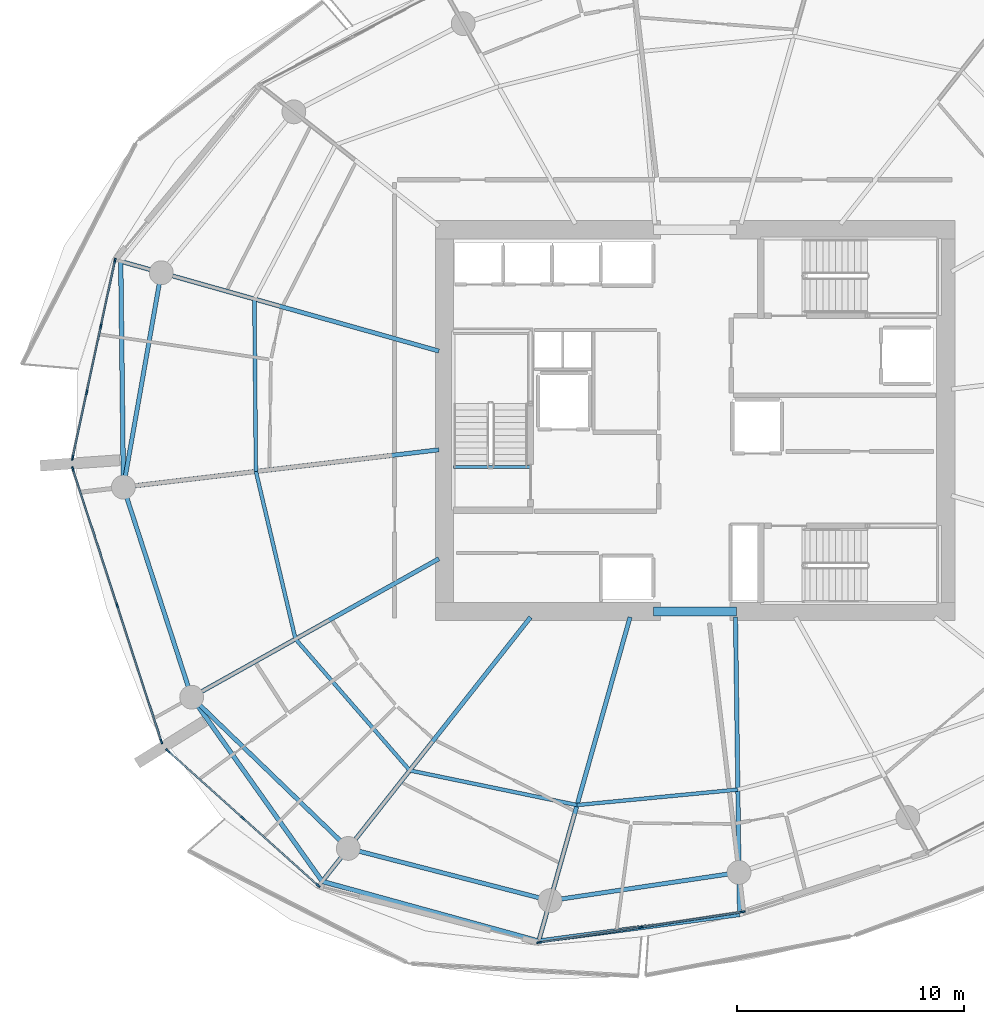
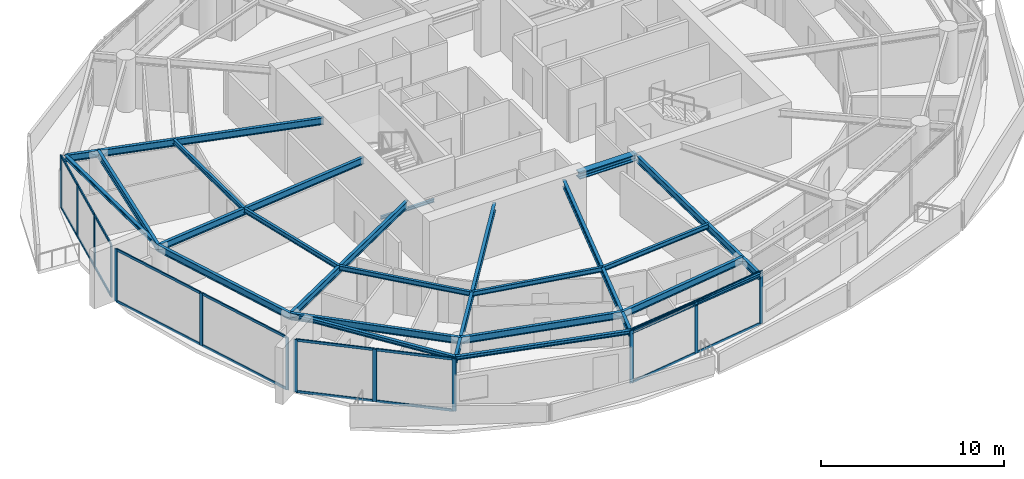
# One storey, part 5 of 20: 31 members, 22 beams, 4 elements without a shape of their own.
"""IFC4 building model written with IfcOpenShell, lengths in metres."""

from ifc_helpers import new_model, si_unit, direction, frame, origin, origin_2d, place, context, subcontext, project, spatial, rectangle, i_section, extrude, material, layer, layer_set, material_profile, profile_set, type_object, element, aggregate, save


model = new_model("IFC4")

# Units and contexts
model_context = context("Model", 3, precision=1e-05, world=origin(), true_north=direction((0.0, 1.0)))
body_context = subcontext(model_context, "Body", "Model", "MODEL_VIEW")
ifc_project = project(units=[si_unit("LENGTHUNIT", "METRE"), si_unit("AREAUNIT", "SQUARE_METRE"), si_unit("VOLUMEUNIT", "CUBIC_METRE"), si_unit("PLANEANGLEUNIT", "RADIAN"), si_unit("MASSUNIT", "GRAM", prefix="KILO")], contexts=[model_context])

# Site, building, storey
site_placement = place(None, origin())
site = spatial("IfcSite", under=ifc_project, at=site_placement, CompositionType="ELEMENT")
building_placement = place(site_placement, origin())
building = spatial("IfcBuilding", under=site, at=building_placement, Name="Kazma Halo Residences", CompositionType="ELEMENT")
storey_placement = place(building_placement, frame((0.0, 0.0, 161.550048828125)))
storey = spatial("IfcBuildingStorey", under=building, at=storey_placement, Name="L40", CompositionType="ELEMENT", Elevation=161.550048828125)

# Beams
ifc_material_1 = material(Name="Steel S355", Category="steel")
ifc_material_profile_1 = material_profile(ifc_material_1, i_section(OverallWidth=0.201904296875, OverallDepth=0.2470703125, WebThickness=0.00732421875, FlangeThickness=0.010986328125, FilletRadius=0.011962890625, at=origin_2d()), Name="W250x49.1")
ifc_profile_set_1 = profile_set([ifc_material_profile_1], Name="Steel S355")
beam_type_1 = type_object("IfcBeamType", Name="BM-BAL-CANT", PredefinedType="BEAM", material=ifc_profile_set_1)
beam_1_placement = place(storey_placement, frame((23.149658203125, 49.008544921875, 3.37646484375), z_axis=(0.011793371143, -0.99993045578, 0.0), x_axis=(0.99993045578, 0.011793371143, 0.0)))
element("IfcBeam", 1, at=beam_1_placement, inside=storey, type_object=beam_type_1, Name="L40 wave-balcony tie beam 07", PredefinedType="BEAM", context=body_context, shape_type="SweptSolid", body=[
    extrude(i_section(OverallWidth=0.201904296875, OverallDepth=0.2470703125, WebThickness=0.00732421875, FlangeThickness=0.010986328125, FilletRadius=0.011962890625, at=origin_2d()), origin(), (0.0, 0.0, 1.0), 9.936767578125),
])
beam_2_placement = place(storey_placement, frame((26.269775390625, 29.83056640625, 3.37646484375), z_axis=(0.578203432081, -0.81589263456, 0.0), x_axis=(0.81589263456, 0.578203432081, 0.0)))
element("IfcBeam", 2, at=beam_2_placement, inside=storey, type_object=beam_type_1, Name="L40 wave-balcony lead tie beam 09", PredefinedType="BEAM", context=body_context, shape_type="SweptSolid", body=[
    extrude(i_section(OverallWidth=0.201904296875, OverallDepth=0.2470703125, WebThickness=0.00732421875, FlangeThickness=0.010986328125, FilletRadius=0.011962890625, at=origin_2d()), origin(), (0.0, 0.0, 1.0), 9.9365234375),
])
beam_3_placement = place(storey_placement, frame((32.01513671875, 21.723388671875, 3.37646484375), z_axis=(0.964045237638, -0.265738179019, 0.0), x_axis=(0.265738179019, 0.964045237638, 0.0)))
element("IfcBeam", 3, at=beam_3_placement, inside=storey, type_object=beam_type_1, Name="L40 wave-balcony tie beam 10", PredefinedType="BEAM", context=body_context, shape_type="SweptSolid", body=[
    extrude(i_section(OverallWidth=0.201904296875, OverallDepth=0.2470703125, WebThickness=0.00732421875, FlangeThickness=0.010986328125, FilletRadius=0.011962890625, at=origin_2d()), origin(), (0.0, 0.0, 1.0), 9.880859375),
])
beam_4_placement = place(storey_placement, frame((41.540771484375, 19.09765625, 3.37646484375), z_axis=(0.991326402839, 0.13142284061, 0.0), x_axis=(-0.13142284061, 0.991326402839, 0.0)))
element("IfcBeam", 4, at=beam_4_placement, inside=storey, type_object=beam_type_1, Name="L40 wave-balcony tie beam 11", PredefinedType="BEAM", context=body_context, shape_type="SweptSolid", body=[
    extrude(i_section(OverallWidth=0.201904296875, OverallDepth=0.2470703125, WebThickness=0.00732421875, FlangeThickness=0.010986328125, FilletRadius=0.011962890625, at=origin_2d()), origin(), (0.0, 0.0, 1.0), 8.9150390625),
])
ifc_material_profile_2 = material_profile(ifc_material_1, i_section(OverallWidth=0.408935546875, OverallDepth=0.425048828125, WebThickness=0.03271484375, FlangeThickness=0.052490234375, FilletRadius=0.02001953125, at=origin_2d()), Name="W360x421")
ifc_profile_set_2 = profile_set([ifc_material_profile_2], Name="Steel S355")
beam_type_2 = type_object("IfcBeamType", Name="BM-CORE-W360H", PredefinedType="BEAM", material=ifc_profile_set_2)
beam_5_placement = place(storey_placement, frame((46.60009765625, 33.60009765625, 3.287353515625), z_axis=(1.0, 0.0, 0.0), x_axis=(0.0, 1.0, 0.0)))
element("IfcBeam", 5, at=beam_5_placement, inside=storey, type_object=beam_type_2, Name="L40 core coupling beam S", PredefinedType="BEAM", context=body_context, shape_type="SweptSolid", body=[
    extrude(i_section(OverallWidth=0.408935546875, OverallDepth=0.425048828125, WebThickness=0.03271484375, FlangeThickness=0.052490234375, FilletRadius=0.02001953125, at=origin_2d()), origin(), (0.0, 0.0, 1.0), 3.64990234375),
])
ifc_material_profile_3 = material_profile(ifc_material_1, i_section(OverallWidth=0.18994140625, OverallDepth=0.45703125, WebThickness=0.009033203125, FlangeThickness=0.014404296875, FilletRadius=0.01611328125, at=origin_2d()), Name="W460x74")
ifc_profile_set_3 = profile_set([ifc_material_profile_3], Name="Steel S355")
beam_type_3 = type_object("IfcBeamType", Name="BM-RAD-W460", PredefinedType="BEAM", material=ifc_profile_set_3)
beam_6_placement = place(storey_placement, frame((37.14990234375, 45.06005859375, 3.271484375), z_axis=(-0.962455072712, 0.271441030447, 0.0), x_axis=(-0.271441030447, -0.962455072712, 0.0)))
element("IfcBeam", 6, at=beam_6_placement, inside=storey, type_object=beam_type_3, Name="L40 radial floor beam 07", PredefinedType="BEAM", context=body_context, shape_type="SweptSolid", body=[
    extrude(i_section(OverallWidth=0.18994140625, OverallDepth=0.45703125, WebThickness=0.009033203125, FlangeThickness=0.014404296875, FilletRadius=0.01611328125, at=origin_2d()), origin(), (0.0, 0.0, 1.0), 14.54638671875),
])
beam_7_placement = place(storey_placement, frame((37.14990234375, 40.7158203125, 3.271484375), z_axis=(-0.993067267044, -0.117547450531, 0.0), x_axis=(0.117547450531, -0.993067267044, 0.0)))
element("IfcBeam", 7, at=beam_7_placement, inside=storey, type_object=beam_type_3, Name="L40 radial floor beam 08", PredefinedType="BEAM", context=body_context, shape_type="SweptSolid", body=[
    extrude(i_section(OverallWidth=0.18994140625, OverallDepth=0.45703125, WebThickness=0.009033203125, FlangeThickness=0.014404296875, FilletRadius=0.01611328125, at=origin_2d()), origin(), (0.0, 0.0, 1.0), 13.97998046875),
])
beam_8_placement = place(storey_placement, frame((37.14990234375, 35.923583984375, 3.271484375), z_axis=(-0.87250100809, -0.488612311431, 0.0), x_axis=(0.488612311431, -0.87250100809, 0.0)))
element("IfcBeam", 8, at=beam_8_placement, inside=storey, type_object=beam_type_3, Name="L40 radial floor beam 09", PredefinedType="BEAM", context=body_context, shape_type="SweptSolid", body=[
    extrude(i_section(OverallWidth=0.18994140625, OverallDepth=0.45703125, WebThickness=0.009033203125, FlangeThickness=0.014404296875, FilletRadius=0.01611328125, at=origin_2d()), origin(), (0.0, 0.0, 1.0), 12.469970703125),
])
beam_9_placement = place(storey_placement, frame((41.180908203125, 33.35009765625, 3.271484375), z_axis=(-0.619094498239, -0.785316498139, 0.0), x_axis=(0.785316498139, -0.619094498239, 0.0)))
element("IfcBeam", 9, at=beam_9_placement, inside=storey, type_object=beam_type_3, Name="L40 radial floor beam 10", PredefinedType="BEAM", context=body_context, shape_type="SweptSolid", body=[
    extrude(i_section(OverallWidth=0.18994140625, OverallDepth=0.45703125, WebThickness=0.009033203125, FlangeThickness=0.014404296875, FilletRadius=0.01611328125, at=origin_2d()), origin(), (0.0, 0.0, 1.0), 14.80517578125),
])
beam_10_placement = place(storey_placement, frame((45.560302734375, 33.35009765625, 3.271484375), z_axis=(-0.271435886816, -0.962456523355, 0.0), x_axis=(0.962456523355, -0.271435886816, 0.0)))
element("IfcBeam", 10, at=beam_10_placement, inside=storey, type_object=beam_type_3, Name="L40 radial floor beam 11", PredefinedType="BEAM", context=body_context, shape_type="SweptSolid", body=[
    extrude(i_section(OverallWidth=0.18994140625, OverallDepth=0.45703125, WebThickness=0.009033203125, FlangeThickness=0.014404296875, FilletRadius=0.01611328125, at=origin_2d()), origin(), (0.0, 0.0, 1.0), 14.808349609375),
])
beam_11_placement = place(storey_placement, frame((50.199951171875, 33.35009765625, 3.271484375), z_axis=(0.013642135434, -0.99990694174, 0.0), x_axis=(0.99990694174, 0.013642135434, 0.0)))
element("IfcBeam", 11, at=beam_11_placement, inside=storey, type_object=beam_type_3, Name="L40 radial floor beam 12", PredefinedType="BEAM", context=body_context, shape_type="SweptSolid", body=[
    extrude(i_section(OverallWidth=0.18994140625, OverallDepth=0.45703125, WebThickness=0.009033203125, FlangeThickness=0.014404296875, FilletRadius=0.01611328125, at=origin_2d()), origin(), (0.0, 0.0, 1.0), 13.08203125),
])
ifc_material_profile_4 = material_profile(ifc_material_1, i_section(OverallWidth=0.1650390625, OverallDepth=0.31005859375, WebThickness=0.005859375, FlangeThickness=0.009765625, FilletRadius=0.011962890625, at=origin_2d()), Name="W310x38.7")
ifc_profile_set_4 = profile_set([ifc_material_profile_4], Name="Steel S355")
beam_type_4 = type_object("IfcBeamType", Name="BM-SEC-W310B", PredefinedType="JOIST", material=ifc_profile_set_4)
beam_12_placement = place(storey_placement, frame((29.02978515625, 47.35009765625, 3.344970703125), z_axis=(0.008944876706, -0.99995999379, 0.0), x_axis=(0.99995999379, 0.008944876706, 0.0)))
element("IfcBeam", 12, at=beam_12_placement, inside=storey, type_object=beam_type_4, Name="L40 circumferential floor joist 07", PredefinedType="JOIST", context=body_context, shape_type="SweptSolid", body=[
    extrude(i_section(OverallWidth=0.1650390625, OverallDepth=0.31005859375, WebThickness=0.005859375, FlangeThickness=0.009765625, FilletRadius=0.011962890625, at=origin_2d()), origin(), (0.0, 0.0, 1.0), 7.587646484375),
])
beam_13_placement = place(storey_placement, frame((29.09765625, 39.7626953125, 3.344970703125), z_axis=(0.229897820601, -0.973214771817, 0.0), x_axis=(0.973214771817, 0.229897820601, 0.0)))
element("IfcBeam", 13, at=beam_13_placement, inside=storey, type_object=beam_type_4, Name="L40 circumferential floor joist 08", PredefinedType="JOIST", context=body_context, shape_type="SweptSolid", body=[
    extrude(i_section(OverallWidth=0.1650390625, OverallDepth=0.31005859375, WebThickness=0.005859375, FlangeThickness=0.009765625, FilletRadius=0.011962890625, at=origin_2d()), origin(), (0.0, 0.0, 1.0), 7.575927734375),
])
beam_14_placement = place(storey_placement, frame((30.83935546875, 32.3896484375, 3.344970703125), z_axis=(0.655935687589, -0.754816781575, 0.0), x_axis=(0.754816781575, 0.655935687589, 0.0)))
element("IfcBeam", 14, at=beam_14_placement, inside=storey, type_object=beam_type_4, Name="L40 circumferential floor joist 09", PredefinedType="JOIST", context=body_context, shape_type="SweptSolid", body=[
    extrude(i_section(OverallWidth=0.1650390625, OverallDepth=0.31005859375, WebThickness=0.005859375, FlangeThickness=0.009765625, FilletRadius=0.011962890625, at=origin_2d()), origin(), (0.0, 0.0, 1.0), 7.661376953125),
])
beam_15_placement = place(storey_placement, frame((35.86474609375, 26.606689453125, 3.344970703125), z_axis=(0.979272189631, -0.202548706773, 0.0), x_axis=(0.202548706773, 0.979272189631, 0.0)))
element("IfcBeam", 15, at=beam_15_placement, inside=storey, type_object=beam_type_4, Name="L40 circumferential floor joist 10", PredefinedType="JOIST", context=body_context, shape_type="SweptSolid", body=[
    extrude(i_section(OverallWidth=0.1650390625, OverallDepth=0.31005859375, WebThickness=0.005859375, FlangeThickness=0.009765625, FilletRadius=0.011962890625, at=origin_2d()), origin(), (0.0, 0.0, 1.0), 7.52001953125),
])
beam_16_placement = place(storey_placement, frame((43.22900390625, 25.08349609375, 3.344970703125), z_axis=(0.995416389983, 0.095635822539, 0.0), x_axis=(-0.095635822539, 0.995416389983, 0.0)))
element("IfcBeam", 16, at=beam_16_placement, inside=storey, type_object=beam_type_4, Name="L40 circumferential floor joist 11", PredefinedType="JOIST", context=body_context, shape_type="SweptSolid", body=[
    extrude(i_section(OverallWidth=0.1650390625, OverallDepth=0.31005859375, WebThickness=0.005859375, FlangeThickness=0.009765625, FilletRadius=0.011962890625, at=origin_2d()), origin(), (0.0, 0.0, 1.0), 7.10693359375),
])
ifc_material_profile_5 = material_profile(ifc_material_1, i_section(OverallWidth=0.18994140625, OverallDepth=0.45703125, WebThickness=0.009033203125, FlangeThickness=0.014404296875, FilletRadius=0.01611328125, at=origin_2d()), Name="W460x74")
ifc_profile_set_5 = profile_set([ifc_material_profile_5], Name="Steel S355")
beam_type_5 = type_object("IfcBeamType", Name="BM-SPN-W460", PredefinedType="BEAM", material=ifc_profile_set_5)
beam_17_placement = place(storey_placement, frame((24.93017578125, 48.50634765625, 3.271484375), z_axis=(-0.173637033425, -0.984809717978, 0.0), x_axis=(0.984809717978, -0.173637033425, 0.0)))
element("IfcBeam", 17, at=beam_17_placement, inside=storey, type_object=beam_type_5, Name="L40 perimeter ring beam 07", PredefinedType="BEAM", context=body_context, shape_type="SweptSolid", body=[
    extrude(i_section(OverallWidth=0.18994140625, OverallDepth=0.45703125, WebThickness=0.009033203125, FlangeThickness=0.014404296875, FilletRadius=0.01611328125, at=origin_2d()), origin(), (0.0, 0.0, 1.0), 9.579345703125),
])
beam_18_placement = place(storey_placement, frame((23.266845703125, 39.072509765625, 3.271484375), z_axis=(0.309020741629, -0.95105529873, 0.0), x_axis=(0.95105529873, 0.309020741629, 0.0)))
element("IfcBeam", 18, at=beam_18_placement, inside=storey, type_object=beam_type_5, Name="L40 perimeter ring beam 08", PredefinedType="BEAM", context=body_context, shape_type="SweptSolid", body=[
    extrude(i_section(OverallWidth=0.18994140625, OverallDepth=0.45703125, WebThickness=0.009033203125, FlangeThickness=0.014404296875, FilletRadius=0.01611328125, at=origin_2d()), origin(), (0.0, 0.0, 1.0), 9.717529296875),
])
beam_19_placement = place(storey_placement, frame((26.269775390625, 29.83056640625, 3.271484375), z_axis=(0.719334705845, -0.694663645923, 0.0), x_axis=(0.694663645923, 0.719334705845, 0.0)))
element("IfcBeam", 19, at=beam_19_placement, inside=storey, type_object=beam_type_5, Name="L40 perimeter ring beam 09", PredefinedType="BEAM", context=body_context, shape_type="SweptSolid", body=[
    extrude(i_section(OverallWidth=0.18994140625, OverallDepth=0.45703125, WebThickness=0.009033203125, FlangeThickness=0.014404296875, FilletRadius=0.01611328125, at=origin_2d()), origin(), (0.0, 0.0, 1.0), 9.5791015625),
])
beam_20_placement = place(storey_placement, frame((33.160400390625, 23.17626953125, 3.271484375), z_axis=(0.968123664213, -0.250472694699, 0.0), x_axis=(0.250472694699, 0.968123664213, 0.0)))
element("IfcBeam", 20, at=beam_20_placement, inside=storey, type_object=beam_type_5, Name="L40 perimeter ring beam 10", PredefinedType="BEAM", context=body_context, shape_type="SweptSolid", body=[
    extrude(i_section(OverallWidth=0.18994140625, OverallDepth=0.45703125, WebThickness=0.009033203125, FlangeThickness=0.014404296875, FilletRadius=0.01611328125, at=origin_2d()), origin(), (0.0, 0.0, 1.0), 9.175048828125),
])
beam_21_placement = place(storey_placement, frame((42.04296875, 20.878173828125, 3.271484375), z_axis=(0.989037147603, 0.147666924735, 0.0), x_axis=(-0.147666924735, 0.989037147603, 0.0)))
element("IfcBeam", 21, at=beam_21_placement, inside=storey, type_object=beam_type_5, Name="L40 perimeter ring beam 11", PredefinedType="BEAM", context=body_context, shape_type="SweptSolid", body=[
    extrude(i_section(OverallWidth=0.18994140625, OverallDepth=0.45703125, WebThickness=0.009033203125, FlangeThickness=0.014404296875, FilletRadius=0.01611328125, at=origin_2d()), origin(), (0.0, 0.0, 1.0), 8.402099609375),
])
ifc_material_profile_6 = material_profile(ifc_material_1, i_section(OverallWidth=0.133056640625, OverallDepth=0.20703125, WebThickness=0.005859375, FlangeThickness=0.00830078125, FilletRadius=0.010009765625, at=origin_2d()), Name="W200x26.6")
ifc_profile_set_6 = profile_set([ifc_material_profile_6], Name="Steel S355")
beam_type_6 = type_object("IfcBeamType", Name="BM-TRIM-W200", PredefinedType="BEAM", material=ifc_profile_set_6)
beam_22_placement = place(storey_placement, frame((37.800048828125, 39.949951171875, -0.360107421875), z_axis=(1.0, 0.0, 0.0), x_axis=(0.0, 1.0, 0.0)))
element("IfcBeam", 22, at=beam_22_placement, inside=storey, type_object=beam_type_6, Name="L40 ST-01 floor landing support beam", PredefinedType="BEAM", context=body_context, shape_type="SweptSolid", body=[
    extrude(i_section(OverallWidth=0.133056640625, OverallDepth=0.20703125, WebThickness=0.005859375, FlangeThickness=0.00830078125, FilletRadius=0.010009765625, at=origin_2d()), origin(), (0.0, 0.0, 1.0), 3.3798828125),
])

# Curtain wall, members
ifc_material_2 = material(Name="Aluminium AW-6063 T6 and Triple-Silver Low-E Glass", Category="aluminium")
ifc_layer = layer(ifc_material_2, 0.219970703125)
ifc_layer_set = layer_set([ifc_layer], Name="Aluminium AW-6063 T6 and Triple-Silver Low-E Glass")
curtain_wall_type = type_object("IfcCurtainWallType", Name="CW-SYS-4", PredefinedType="NOTDEFINED", material=ifc_layer_set)
curtain_wall_1_placement = place(storey_placement, origin())
curtain_wall_1 = element("IfcCurtainWall", 23, at=curtain_wall_1_placement, inside=storey, type_object=curtain_wall_type, Name="L40 unitised curtain wall B07", PredefinedType="NOTDEFINED")
ifc_material_3 = material(Name="Aluminium AW-6063 T6", Category="aluminium")
ifc_material_profile_7 = material_profile(ifc_material_3, rectangle(XDim=0.074951171875, YDim=0.219970703125, at=origin_2d()), Name="CWM-75x220")
ifc_profile_set_7 = profile_set([ifc_material_profile_7], Name="Aluminium AW-6063 T6")
member_type_1 = type_object("IfcMemberType", Name="CW-SYS-4-MUL", PredefinedType="MULLION", material=ifc_profile_set_7)
member_1_placement = place(storey_placement, frame((22.894775390625, 49.04150390625, 0.0), z_axis=(0.0, 0.0, 1.0), x_axis=(0.977764957684, -0.209703809037, 0.0)))
member_1 = element("IfcMember", 24, at=member_1_placement, type_object=member_type_1, Name="CWS-4 mullion 1", PredefinedType="MULLION", context=body_context, shape_type="SweptSolid", body=[
    extrude(rectangle(XDim=0.074951171875, YDim=0.219970703125, at=origin_2d()), origin(), (0.0, 0.0, 1.0), 3.5),
])
member_2_placement = place(storey_placement, frame((22.27685546875, 46.160888671875, 0.0), z_axis=(0.0, 0.0, 1.0), x_axis=(0.977764957684, -0.209703809037, 0.0)))
member_2 = element("IfcMember", 25, at=member_2_placement, type_object=member_type_1, Name="CWS-4 mullion 2", PredefinedType="MULLION", context=body_context, shape_type="SweptSolid", body=[
    extrude(rectangle(XDim=0.074951171875, YDim=0.219970703125, at=origin_2d()), origin(), (0.0, 0.0, 1.0), 3.5),
])
member_3_placement = place(storey_placement, frame((21.6513671875, 43.24365234375, 0.0), z_axis=(0.0, 0.0, 1.0), x_axis=(0.977764957684, -0.209703809037, 0.0)))
member_3 = element("IfcMember", 26, at=member_3_placement, type_object=member_type_1, Name="CWS-4 mullion 3", PredefinedType="MULLION", context=body_context, shape_type="SweptSolid", body=[
    extrude(rectangle(XDim=0.074951171875, YDim=0.219970703125, at=origin_2d()), origin(), (0.0, 0.0, 1.0), 3.5),
])
member_4_placement = place(storey_placement, frame((21.033447265625, 40.36328125, 0.0), z_axis=(0.0, 0.0, 1.0), x_axis=(0.977764957684, -0.209703809037, 0.0)))
member_4 = element("IfcMember", 27, at=member_4_placement, type_object=member_type_1, Name="CWS-4 mullion 4", PredefinedType="MULLION", context=body_context, shape_type="SweptSolid", body=[
    extrude(rectangle(XDim=0.074951171875, YDim=0.219970703125, at=origin_2d()), origin(), (0.0, 0.0, 1.0), 3.5),
])

curtain_wall_2_placement = place(storey_placement, origin())
curtain_wall_2 = element("IfcCurtainWall", 28, at=curtain_wall_2_placement, inside=storey, type_object=curtain_wall_type, Name="L40 unitised curtain wall B08", PredefinedType="NOTDEFINED")
member_5_placement = place(storey_placement, frame((21.044189453125, 39.86572265625, 0.0), z_axis=(0.0, 0.0, 1.0), x_axis=(0.951057547609, 0.3090138203, 0.0)))
member_5 = element("IfcMember", 29, at=member_5_placement, type_object=member_type_1, Name="CWS-4 mullion 1", PredefinedType="MULLION", context=body_context, shape_type="SweptSolid", body=[
    extrude(rectangle(XDim=0.074951171875, YDim=0.219970703125, at=origin_2d()), origin(), (0.0, 0.0, 1.0), 3.5),
])
member_6_placement = place(storey_placement, frame((22.990966796875, 33.8740234375, 0.0), z_axis=(0.0, 0.0, 1.0), x_axis=(0.951057547609, 0.3090138203, 0.0)))
member_6 = element("IfcMember", 30, at=member_6_placement, type_object=member_type_1, Name="CWS-4 mullion 2", PredefinedType="MULLION", context=body_context, shape_type="SweptSolid", body=[
    extrude(rectangle(XDim=0.074951171875, YDim=0.219970703125, at=origin_2d()), origin(), (0.0, 0.0, 1.0), 3.5),
])
member_7_placement = place(storey_placement, frame((24.937744140625, 27.882568359375, 0.0), z_axis=(0.0, 0.0, 1.0), x_axis=(0.951057547609, 0.3090138203, 0.0)))
member_7 = element("IfcMember", 31, at=member_7_placement, type_object=member_type_1, Name="CWS-4 mullion 3", PredefinedType="MULLION", context=body_context, shape_type="SweptSolid", body=[
    extrude(rectangle(XDim=0.074951171875, YDim=0.219970703125, at=origin_2d()), origin(), (0.0, 0.0, 1.0), 3.5),
])

curtain_wall_3_placement = place(storey_placement, origin())
curtain_wall_3 = element("IfcCurtainWall", 32, at=curtain_wall_3_placement, inside=storey, type_object=curtain_wall_type, Name="L40 unitised curtain wall B09", PredefinedType="NOTDEFINED")
member_8_placement = place(storey_placement, frame((25.221435546875, 27.4736328125, 0.0), z_axis=(0.0, 0.0, 1.0), x_axis=(0.667770096247, 0.744367582957, 0.0)))
member_8 = element("IfcMember", 33, at=member_8_placement, type_object=member_type_1, Name="CWS-4 mullion 1", PredefinedType="MULLION", context=body_context, shape_type="SweptSolid", body=[
    extrude(rectangle(XDim=0.074951171875, YDim=0.219970703125, at=origin_2d()), origin(), (0.0, 0.0, 1.0), 3.5),
])
member_9_placement = place(storey_placement, frame((28.52490234375, 24.51025390625, 0.0), z_axis=(0.0, 0.0, 1.0), x_axis=(0.667770096247, 0.744367582957, 0.0)))
member_9 = element("IfcMember", 34, at=member_9_placement, type_object=member_type_1, Name="CWS-4 mullion 2", PredefinedType="MULLION", context=body_context, shape_type="SweptSolid", body=[
    extrude(rectangle(XDim=0.074951171875, YDim=0.219970703125, at=origin_2d()), origin(), (0.0, 0.0, 1.0), 3.5),
])
member_10_placement = place(storey_placement, frame((31.828369140625, 21.546630859375, 0.0), z_axis=(0.0, 0.0, 1.0), x_axis=(0.667770096247, 0.744367582957, 0.0)))
member_10 = element("IfcMember", 35, at=member_10_placement, type_object=member_type_1, Name="CWS-4 mullion 3", PredefinedType="MULLION", context=body_context, shape_type="SweptSolid", body=[
    extrude(rectangle(XDim=0.074951171875, YDim=0.219970703125, at=origin_2d()), origin(), (0.0, 0.0, 1.0), 3.5),
])

curtain_wall_4_placement = place(storey_placement, origin())
curtain_wall_4 = element("IfcCurtainWall", 36, at=curtain_wall_4_placement, inside=storey, type_object=curtain_wall_type, Name="L40 unitised curtain wall B11", PredefinedType="NOTDEFINED")
member_11_placement = place(storey_placement, frame((41.559326171875, 19.037109375, 0.0), z_axis=(0.0, 0.0, 1.0), x_axis=(-0.148821022686, 0.988864148004, 0.0)))
member_11 = element("IfcMember", 37, at=member_11_placement, type_object=member_type_1, Name="CWS-4 mullion 1", PredefinedType="MULLION", context=body_context, shape_type="SweptSolid", body=[
    extrude(rectangle(XDim=0.074951171875, YDim=0.219970703125, at=origin_2d()), origin(), (0.0, 0.0, 1.0), 3.5),
])
member_12_placement = place(storey_placement, frame((46.039794921875, 19.71142578125, 0.0), z_axis=(0.0, 0.0, 1.0), x_axis=(-0.148821022686, 0.988864148004, 0.0)))
member_12 = element("IfcMember", 38, at=member_12_placement, type_object=member_type_1, Name="CWS-4 mullion 2", PredefinedType="MULLION", context=body_context, shape_type="SweptSolid", body=[
    extrude(rectangle(XDim=0.074951171875, YDim=0.219970703125, at=origin_2d()), origin(), (0.0, 0.0, 1.0), 3.5),
])
member_13_placement = place(storey_placement, frame((50.5205078125, 20.3857421875, 0.0), z_axis=(0.0, 0.0, 1.0), x_axis=(-0.148821022686, 0.988864148004, 0.0)))
member_13 = element("IfcMember", 39, at=member_13_placement, type_object=member_type_1, Name="CWS-4 mullion 3", PredefinedType="MULLION", context=body_context, shape_type="SweptSolid", body=[
    extrude(rectangle(XDim=0.074951171875, YDim=0.219970703125, at=origin_2d()), origin(), (0.0, 0.0, 1.0), 3.5),
])

# Member
ifc_material_profile_8 = material_profile(ifc_material_3, rectangle(XDim=0.074951171875, YDim=0.1650390625, at=origin_2d()), Name="CWT-75x165")
ifc_profile_set_8 = profile_set([ifc_material_profile_8], Name="Aluminium AW-6063 T6")
member_type_2 = type_object("IfcMemberType", Name="CW-SYS-4-TRN", PredefinedType="USERDEFINED", material=ifc_profile_set_8)
member_14_placement = place(storey_placement, frame((22.886962890625, 49.0048828125, 0.037353515625), z_axis=(-0.209703309269, -0.977765064871, 0.0), x_axis=(0.977765064871, -0.209703309269, 0.0)))
member_14 = element("IfcMember", 40, at=member_14_placement, type_object=member_type_2, Name="CWS-4 transom 1.1", ObjectType="TRANSOM", PredefinedType="USERDEFINED", context=body_context, shape_type="SweptSolid", body=[
    extrude(rectangle(XDim=0.074951171875, YDim=0.1650390625, at=origin_2d()), origin(), (0.0, 0.0, 1.0), 2.870849609375),
])

member_15_placement = place(storey_placement, frame((22.886962890625, 49.0048828125, 3.46240234375), z_axis=(-0.209703309269, -0.977765064871, 0.0), x_axis=(0.977765064871, -0.209703309269, 0.0)))
member_15 = element("IfcMember", 41, at=member_15_placement, type_object=member_type_2, Name="CWS-4 transom 1.2", ObjectType="TRANSOM", PredefinedType="USERDEFINED", context=body_context, shape_type="SweptSolid", body=[
    extrude(rectangle(XDim=0.074951171875, YDim=0.1650390625, at=origin_2d()), origin(), (0.0, 0.0, 1.0), 2.870849609375),
])

member_16_placement = place(storey_placement, frame((22.26904296875, 46.124267578125, 0.037353515625), z_axis=(-0.209689601293, -0.977768004748, 0.0), x_axis=(0.977768004748, -0.209689601293, 0.0)))
member_16 = element("IfcMember", 42, at=member_16_placement, type_object=member_type_2, Name="CWS-4 transom 2.1", ObjectType="TRANSOM", PredefinedType="USERDEFINED", context=body_context, shape_type="SweptSolid", body=[
    extrude(rectangle(XDim=0.074951171875, YDim=0.1650390625, at=origin_2d()), origin(), (0.0, 0.0, 1.0), 2.908447265625),
])

member_17_placement = place(storey_placement, frame((22.26904296875, 46.124267578125, 3.46240234375), z_axis=(-0.209689601293, -0.977768004748, 0.0), x_axis=(0.977768004748, -0.209689601293, 0.0)))
member_17 = element("IfcMember", 43, at=member_17_placement, type_object=member_type_2, Name="CWS-4 transom 2.2", ObjectType="TRANSOM", PredefinedType="USERDEFINED", context=body_context, shape_type="SweptSolid", body=[
    extrude(rectangle(XDim=0.074951171875, YDim=0.1650390625, at=origin_2d()), origin(), (0.0, 0.0, 1.0), 2.908447265625),
])

member_18_placement = place(storey_placement, frame((21.643310546875, 43.20703125, 0.037353515625), z_axis=(-0.209703309269, -0.977765064871, 0.0), x_axis=(0.977765064871, -0.209703309269, 0.0)))
member_18 = element("IfcMember", 44, at=member_18_placement, type_object=member_type_2, Name="CWS-4 transom 3.1", ObjectType="TRANSOM", PredefinedType="USERDEFINED", context=body_context, shape_type="SweptSolid", body=[
    extrude(rectangle(XDim=0.074951171875, YDim=0.1650390625, at=origin_2d()), origin(), (0.0, 0.0, 1.0), 2.870849609375),
])

member_19_placement = place(storey_placement, frame((21.643310546875, 43.20703125, 3.46240234375), z_axis=(-0.209703309269, -0.977765064871, 0.0), x_axis=(0.977765064871, -0.209703309269, 0.0)))
member_19 = element("IfcMember", 45, at=member_19_placement, type_object=member_type_2, Name="CWS-4 transom 3.2", ObjectType="TRANSOM", PredefinedType="USERDEFINED", context=body_context, shape_type="SweptSolid", body=[
    extrude(rectangle(XDim=0.074951171875, YDim=0.1650390625, at=origin_2d()), origin(), (0.0, 0.0, 1.0), 2.870849609375),
])

aggregate(curtain_wall_1, [member_1, member_2, member_3, member_4, member_14, member_15, member_16, member_17, member_18, member_19])

member_20_placement = place(storey_placement, frame((21.0556640625, 39.830078125, 0.037353515625), z_axis=(0.309006258762, -0.95106000444, 0.0), x_axis=(0.95106000444, 0.309006258762, 0.0)))
member_20 = element("IfcMember", 46, at=member_20_placement, type_object=member_type_2, Name="CWS-4 transom 1.1", ObjectType="TRANSOM", PredefinedType="USERDEFINED", context=body_context, shape_type="SweptSolid", body=[
    extrude(rectangle(XDim=0.074951171875, YDim=0.1650390625, at=origin_2d()), origin(), (0.0, 0.0, 1.0), 6.22509765625),
])

member_21_placement = place(storey_placement, frame((21.0556640625, 39.830078125, 3.46240234375), z_axis=(0.309006258762, -0.95106000444, 0.0), x_axis=(0.95106000444, 0.309006258762, 0.0)))
member_21 = element("IfcMember", 47, at=member_21_placement, type_object=member_type_2, Name="CWS-4 transom 1.2", ObjectType="TRANSOM", PredefinedType="USERDEFINED", context=body_context, shape_type="SweptSolid", body=[
    extrude(rectangle(XDim=0.074951171875, YDim=0.1650390625, at=origin_2d()), origin(), (0.0, 0.0, 1.0), 6.22509765625),
])

member_22_placement = place(storey_placement, frame((23.00244140625, 33.83837890625, 0.037353515625), z_axis=(0.309017784977, -0.951056259413, 0.0), x_axis=(0.951056259413, 0.309017784977, 0.0)))
member_22 = element("IfcMember", 48, at=member_22_placement, type_object=member_type_2, Name="CWS-4 transom 2.1", ObjectType="TRANSOM", PredefinedType="USERDEFINED", context=body_context, shape_type="SweptSolid", body=[
    extrude(rectangle(XDim=0.074951171875, YDim=0.1650390625, at=origin_2d()), origin(), (0.0, 0.0, 1.0), 6.224853515625),
])

member_23_placement = place(storey_placement, frame((23.00244140625, 33.83837890625, 3.46240234375), z_axis=(0.309017784977, -0.951056259413, 0.0), x_axis=(0.951056259413, 0.309017784977, 0.0)))
member_23 = element("IfcMember", 49, at=member_23_placement, type_object=member_type_2, Name="CWS-4 transom 2.2", ObjectType="TRANSOM", PredefinedType="USERDEFINED", context=body_context, shape_type="SweptSolid", body=[
    extrude(rectangle(XDim=0.074951171875, YDim=0.1650390625, at=origin_2d()), origin(), (0.0, 0.0, 1.0), 6.224853515625),
])

aggregate(curtain_wall_2, [member_5, member_6, member_7, member_20, member_21, member_22, member_23])

member_24_placement = place(storey_placement, frame((25.24951171875, 27.44873046875, 0.037353515625), z_axis=(0.744344978888, -0.66779529229, 0.0), x_axis=(0.66779529229, 0.744344978888, 0.0)))
member_24 = element("IfcMember", 50, at=member_24_placement, type_object=member_type_2, Name="CWS-4 transom 1.1", ObjectType="TRANSOM", PredefinedType="USERDEFINED", context=body_context, shape_type="SweptSolid", body=[
    extrude(rectangle(XDim=0.074951171875, YDim=0.1650390625, at=origin_2d()), origin(), (0.0, 0.0, 1.0), 4.363037109375),
])

member_25_placement = place(storey_placement, frame((25.24951171875, 27.44873046875, 3.46240234375), z_axis=(0.744344978888, -0.66779529229, 0.0), x_axis=(0.66779529229, 0.744344978888, 0.0)))
member_25 = element("IfcMember", 51, at=member_25_placement, type_object=member_type_2, Name="CWS-4 transom 1.2", ObjectType="TRANSOM", PredefinedType="USERDEFINED", context=body_context, shape_type="SweptSolid", body=[
    extrude(rectangle(XDim=0.074951171875, YDim=0.1650390625, at=origin_2d()), origin(), (0.0, 0.0, 1.0), 4.363037109375),
])

member_26_placement = place(storey_placement, frame((28.552734375, 24.485107421875, 0.037353515625), z_axis=(0.744372794017, -0.667764287401, 0.0), x_axis=(0.667764287401, 0.744372794017, 0.0)))
member_26 = element("IfcMember", 52, at=member_26_placement, type_object=member_type_2, Name="CWS-4 transom 2.1", ObjectType="TRANSOM", PredefinedType="USERDEFINED", context=body_context, shape_type="SweptSolid", body=[
    extrude(rectangle(XDim=0.074951171875, YDim=0.1650390625, at=origin_2d()), origin(), (0.0, 0.0, 1.0), 4.36279296875),
])

member_27_placement = place(storey_placement, frame((28.552734375, 24.485107421875, 3.46240234375), z_axis=(0.744372794017, -0.667764287401, 0.0), x_axis=(0.667764287401, 0.744372794017, 0.0)))
member_27 = element("IfcMember", 53, at=member_27_placement, type_object=member_type_2, Name="CWS-4 transom 2.2", ObjectType="TRANSOM", PredefinedType="USERDEFINED", context=body_context, shape_type="SweptSolid", body=[
    extrude(rectangle(XDim=0.074951171875, YDim=0.1650390625, at=origin_2d()), origin(), (0.0, 0.0, 1.0), 4.36279296875),
])

aggregate(curtain_wall_3, [member_8, member_9, member_10, member_24, member_25, member_26, member_27])

member_28_placement = place(storey_placement, frame((41.596435546875, 19.042724609375, 0.037353515625), z_axis=(0.988866721231, 0.148803923478, 0.0), x_axis=(-0.148803923478, 0.988866721231, 0.0)))
member_28 = element("IfcMember", 54, at=member_28_placement, type_object=member_type_2, Name="CWS-4 transom 1.1", ObjectType="TRANSOM", PredefinedType="USERDEFINED", context=body_context, shape_type="SweptSolid", body=[
    extrude(rectangle(XDim=0.074951171875, YDim=0.1650390625, at=origin_2d()), origin(), (0.0, 0.0, 1.0), 4.4560546875),
])

member_29_placement = place(storey_placement, frame((41.596435546875, 19.042724609375, 3.46240234375), z_axis=(0.988866721231, 0.148803923478, 0.0), x_axis=(-0.148803923478, 0.988866721231, 0.0)))
member_29 = element("IfcMember", 55, at=member_29_placement, type_object=member_type_2, Name="CWS-4 transom 1.2", ObjectType="TRANSOM", PredefinedType="USERDEFINED", context=body_context, shape_type="SweptSolid", body=[
    extrude(rectangle(XDim=0.074951171875, YDim=0.1650390625, at=origin_2d()), origin(), (0.0, 0.0, 1.0), 4.4560546875),
])

member_30_placement = place(storey_placement, frame((46.076904296875, 19.717041015625, 0.037353515625), z_axis=(0.988866721231, 0.148803923478, 0.0), x_axis=(-0.148803923478, 0.988866721231, 0.0)))
member_30 = element("IfcMember", 56, at=member_30_placement, type_object=member_type_2, Name="CWS-4 transom 2.1", ObjectType="TRANSOM", PredefinedType="USERDEFINED", context=body_context, shape_type="SweptSolid", body=[
    extrude(rectangle(XDim=0.074951171875, YDim=0.1650390625, at=origin_2d()), origin(), (0.0, 0.0, 1.0), 4.4560546875),
])

member_31_placement = place(storey_placement, frame((46.076904296875, 19.717041015625, 3.46240234375), z_axis=(0.988866721231, 0.148803923478, 0.0), x_axis=(-0.148803923478, 0.988866721231, 0.0)))
member_31 = element("IfcMember", 57, at=member_31_placement, type_object=member_type_2, Name="CWS-4 transom 2.2", ObjectType="TRANSOM", PredefinedType="USERDEFINED", context=body_context, shape_type="SweptSolid", body=[
    extrude(rectangle(XDim=0.074951171875, YDim=0.1650390625, at=origin_2d()), origin(), (0.0, 0.0, 1.0), 4.4560546875),
])

aggregate(curtain_wall_4, [member_11, member_12, member_13, member_28, member_29, member_30, member_31])

save(model, "model.ifc")
